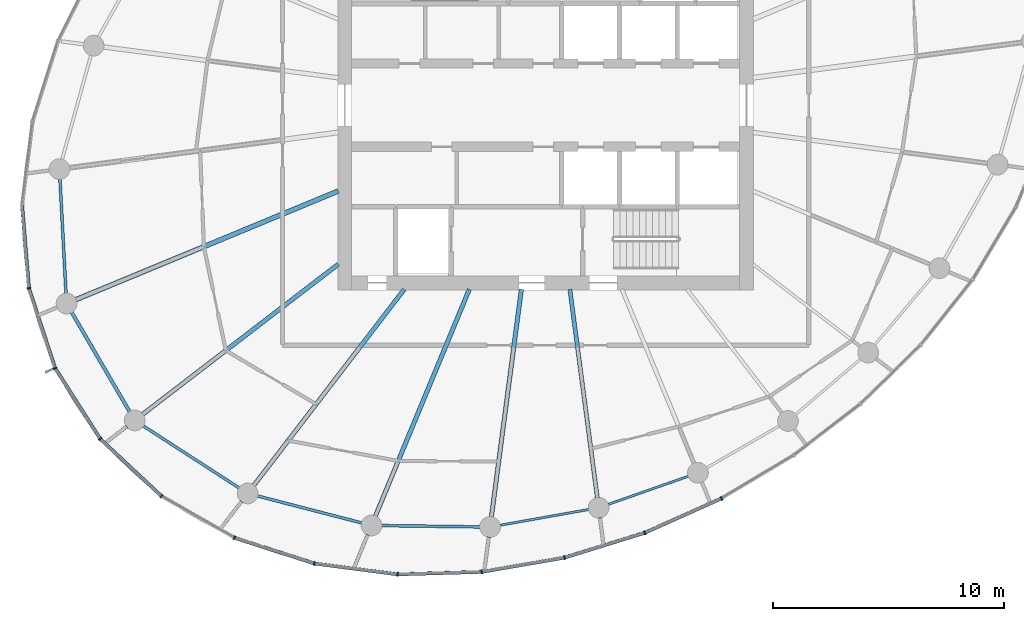
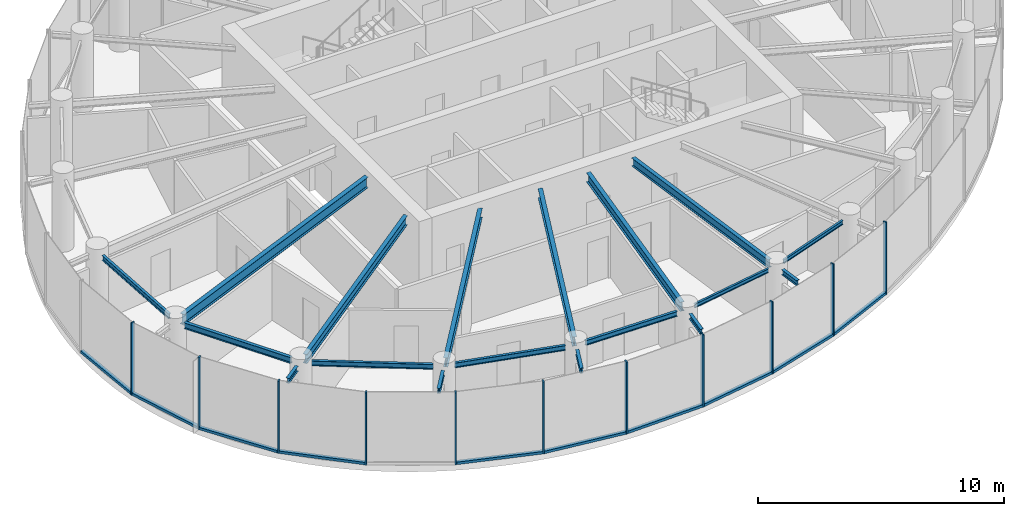
# One storey, part 2 of 15: 21 members, 18 beams, 3 elements without a shape of their own.
"""IFC4 building model written with IfcOpenShell, lengths in metres."""

from ifc_helpers import new_model, si_unit, direction, frame, origin, origin_2d, place, context, subcontext, project, spatial, rectangle, i_section, extrude, source, transform, mapped, material, layer, layer_set, material_profile, profile_set, type_object, element, aggregate, save


model = new_model("IFC4")

# Units and contexts
model_context = context("Model", 3, precision=1e-05, world=origin(), true_north=direction((0.0, 1.0)))
body_context = subcontext(model_context, "Body", "Model", "MODEL_VIEW")
ifc_project = project(units=[si_unit("LENGTHUNIT", "METRE"), si_unit("AREAUNIT", "SQUARE_METRE"), si_unit("VOLUMEUNIT", "CUBIC_METRE"), si_unit("PLANEANGLEUNIT", "RADIAN"), si_unit("MASSUNIT", "GRAM", prefix="KILO")], contexts=[model_context])

# Site, building, storey
site_placement = place(None, origin())
site = spatial("IfcSite", under=ifc_project, at=site_placement, CompositionType="ELEMENT")
building_placement = place(site_placement, origin())
building = spatial("IfcBuilding", under=site, at=building_placement, Name="Spindrift Exchange Tower", CompositionType="ELEMENT")
storey_placement = place(building_placement, frame((0.0, 0.0, 195.5)))
storey = spatial("IfcBuildingStorey", under=building, at=storey_placement, Name="L47", CompositionType="ELEMENT", Elevation=195.5)

# Beams
ifc_material_1 = material(Name="Steel Grade 300", Category="steel")
ifc_material_profile_1 = material_profile(ifc_material_1, i_section(OverallWidth=0.14599609375, OverallDepth=0.251953125, WebThickness=0.006103515625, FlangeThickness=0.008544921875, FilletRadius=0.011962890625, at=origin_2d()), Name="250UB31.4")
ifc_profile_set_1 = profile_set([ifc_material_profile_1], Name="Steel Grade 300")
beam_type_1 = type_object("IfcBeamType", Name="Cantilever Beam 250UB31.4 Steel Grade 300", PredefinedType="BEAM", material=ifc_profile_set_1)
shared_shape_1 = source(origin(), body_context, "Body", "SweptSolid", [
    extrude(i_section(OverallWidth=0.14599609375, OverallDepth=0.251953125, WebThickness=0.006103515625, FlangeThickness=0.008544921875, FilletRadius=0.011962890625, at=origin_2d()), origin(), (0.0, 0.0, 1.0), 1.224853515625),
])
beam_1_placement = place(storey_placement, frame((49.53759765625, 29.29541015625, 3.4541015625), z_axis=(-0.130557634208, -0.99144072145, 0.0), x_axis=(0.99144072145, -0.130557634208, 0.0)))
element("IfcBeam", 1, at=beam_1_placement, inside=storey, type_object=beam_type_1, Name="L47 cantilever beam R18T", PredefinedType="BEAM", context=body_context, shape_type="MappedRepresentation", body=[
    mapped(shared_shape_1, transform((0.0, 0.0, 0.0), scale=1.0)),
])
ifc_material_profile_2 = material_profile(ifc_material_1, i_section(OverallWidth=0.208984375, OverallDepth=0.528076171875, WebThickness=0.009521484375, FlangeThickness=0.01318359375, FilletRadius=0.013916015625, at=origin_2d()), Name="530UB82.0")
ifc_profile_set_2 = profile_set([ifc_material_profile_2], Name="Steel Grade 300")
beam_type_2 = type_object("IfcBeamType", Name="Floor Beam 530UB82.0 Steel Grade 300", PredefinedType="BEAM", material=ifc_profile_set_2)
shared_shape_2 = source(origin(), body_context, "Body", "SweptSolid", [
    extrude(i_section(OverallWidth=0.208984375, OverallDepth=0.528076171875, WebThickness=0.009521484375, FlangeThickness=0.01318359375, FilletRadius=0.013916015625, at=origin_2d()), origin(), (0.0, 0.0, 1.0), 12.3115234375),
])
beam_2_placement = place(storey_placement, frame((43.0185546875, 44.27978515625, 3.31591796875), z_axis=(-0.923878099838, -0.382686891126, 0.0), x_axis=(0.382686891126, -0.923878099838, 0.0)))
element("IfcBeam", 2, at=beam_2_placement, inside=storey, type_object=beam_type_2, Name="L47 radial beam R14A", PredefinedType="BEAM", context=body_context, shape_type="MappedRepresentation", body=[
    mapped(shared_shape_2, transform((0.0, 0.0, 0.0), scale=1.0)),
])
ifc_material_profile_3 = material_profile(ifc_material_1, i_section(OverallWidth=0.18994140625, OverallDepth=0.4541015625, WebThickness=0.008544921875, FlangeThickness=0.0126953125, FilletRadius=0.013916015625, at=origin_2d()), Name="460UB67.1")
ifc_profile_set_3 = profile_set([ifc_material_profile_3], Name="Steel Grade 300")
beam_type_3 = type_object("IfcBeamType", Name="Floor Beam 460UB67.1 Steel Grade 300", PredefinedType="BEAM", material=ifc_profile_set_3)
shared_shape_3 = source(origin(), body_context, "Body", "SweptSolid", [
    extrude(i_section(OverallWidth=0.18994140625, OverallDepth=0.4541015625, WebThickness=0.008544921875, FlangeThickness=0.0126953125, FilletRadius=0.013916015625, at=origin_2d()), origin(), (0.0, 0.0, 1.0), 10.684814453125),
])
beam_3_placement = place(storey_placement, frame((43.015869140625, 41.106201171875, 3.35302734375), z_axis=(-0.793357316898, -0.608756246559, 0.0), x_axis=(0.608756246559, -0.793357316898, 0.0)))
element("IfcBeam", 3, at=beam_3_placement, inside=storey, type_object=beam_type_3, Name="L47 radial beam R15A", PredefinedType="BEAM", context=body_context, shape_type="MappedRepresentation", body=[
    mapped(shared_shape_3, transform((0.0, 0.0, 0.0), scale=1.0)),
])
shared_shape_4 = source(origin(), body_context, "Body", "SweptSolid", [
    extrude(i_section(OverallWidth=0.18994140625, OverallDepth=0.4541015625, WebThickness=0.008544921875, FlangeThickness=0.0126953125, FilletRadius=0.013916015625, at=origin_2d()), origin(), (0.0, 0.0, 1.0), 10.711181640625),
])
beam_4_placement = place(storey_placement, frame((45.87353515625, 40.015869140625, 3.35302734375), z_axis=(-0.608756401092, -0.793357198322, 0.0), x_axis=(0.793357198322, -0.608756401092, 0.0)))
element("IfcBeam", 4, at=beam_4_placement, inside=storey, type_object=beam_type_3, Name="L47 radial beam R16A", PredefinedType="BEAM", context=body_context, shape_type="MappedRepresentation", body=[
    mapped(shared_shape_4, transform((0.0, 0.0, 0.0), scale=1.0)),
])
shared_shape_5 = source(origin(), body_context, "Body", "SweptSolid", [
    extrude(i_section(OverallWidth=0.18994140625, OverallDepth=0.4541015625, WebThickness=0.008544921875, FlangeThickness=0.0126953125, FilletRadius=0.013916015625, at=origin_2d()), origin(), (0.0, 0.0, 1.0), 10.64111328125),
])
beam_5_placement = place(storey_placement, frame((48.69384765625, 40.0185546875, 3.35302734375), z_axis=(-0.382672627597, -0.923884007919, 0.0), x_axis=(0.923884007919, -0.382672627597, 0.0)))
element("IfcBeam", 5, at=beam_5_placement, inside=storey, type_object=beam_type_3, Name="L47 radial beam R17A", PredefinedType="BEAM", context=body_context, shape_type="MappedRepresentation", body=[
    mapped(shared_shape_5, transform((0.0, 0.0, 0.0), scale=1.0)),
])
shared_shape_6 = source(origin(), body_context, "Body", "SweptSolid", [
    extrude(i_section(OverallWidth=0.18994140625, OverallDepth=0.4541015625, WebThickness=0.008544921875, FlangeThickness=0.0126953125, FilletRadius=0.013916015625, at=origin_2d()), origin(), (0.0, 0.0, 1.0), 9.95703125),
])
beam_6_placement = place(storey_placement, frame((50.949462890625, 40.019775390625, 3.35302734375), z_axis=(-0.130541406635, -0.991442858239, 0.0), x_axis=(0.991442858239, -0.130541406635, 0.0)))
element("IfcBeam", 6, at=beam_6_placement, inside=storey, type_object=beam_type_3, Name="L47 radial beam R18A", PredefinedType="BEAM", context=body_context, shape_type="MappedRepresentation", body=[
    mapped(shared_shape_6, transform((0.0, 0.0, 0.0), scale=1.0)),
])
ifc_material_profile_4 = material_profile(ifc_material_1, i_section(OverallWidth=0.177978515625, OverallDepth=0.403076171875, WebThickness=0.007568359375, FlangeThickness=0.010986328125, FilletRadius=0.013916015625, at=origin_2d()), Name="410UB53.7")
ifc_profile_set_4 = profile_set([ifc_material_profile_4], Name="Steel Grade 300")
beam_type_4 = type_object("IfcBeamType", Name="Floor Beam 410UB53.7 Steel Grade 300", PredefinedType="BEAM", material=ifc_profile_set_4)
shared_shape_7 = source(origin(), body_context, "Body", "SweptSolid", [
    extrude(i_section(OverallWidth=0.177978515625, OverallDepth=0.403076171875, WebThickness=0.007568359375, FlangeThickness=0.010986328125, FilletRadius=0.013916015625, at=origin_2d()), origin(), (0.0, 0.0, 1.0), 9.11376953125),
])
beam_7_placement = place(storey_placement, frame((53.050537109375, 40.019775390625, 3.37841796875), z_axis=(0.130536972606, -0.991443442049, 0.0), x_axis=(0.991443442049, 0.130536972606, 0.0)))
element("IfcBeam", 7, at=beam_7_placement, inside=storey, type_object=beam_type_4, Name="L47 radial beam R19A", PredefinedType="BEAM", context=body_context, shape_type="MappedRepresentation", body=[
    mapped(shared_shape_7, transform((0.0, 0.0, 0.0), scale=1.0)),
])
ifc_material_profile_5 = material_profile(ifc_material_1, i_section(OverallWidth=0.1240234375, OverallDepth=0.248046875, WebThickness=0.0048828125, FlangeThickness=0.008056640625, FilletRadius=0.011962890625, at=origin_2d()), Name="250UB25.7")
ifc_profile_set_5 = profile_set([ifc_material_profile_5], Name="Steel Grade 300")
beam_type_5 = type_object("IfcBeamType", Name="Edge Beam 250UB25.7 Steel Grade 300", PredefinedType="SPANDREL", material=ifc_profile_set_5)
shared_shape_8 = source(origin(), body_context, "Body", "SweptSolid", [
    extrude(i_section(OverallWidth=0.1240234375, OverallDepth=0.248046875, WebThickness=0.0048828125, FlangeThickness=0.008056640625, FilletRadius=0.011962890625, at=origin_2d()), origin(), (0.0, 0.0, 1.0), 4.971435546875),
])
beam_8_placement = place(storey_placement, frame((30.96044921875, 44.797607421875, 3.4560546875), z_axis=(0.053038255124, -0.998592481192, 0.0), x_axis=(0.998592481192, 0.053038255124, 0.0)))
element("IfcBeam", 8, at=beam_8_placement, inside=storey, type_object=beam_type_5, Name="L47 edge beam E13", PredefinedType="SPANDREL", context=body_context, shape_type="MappedRepresentation", body=[
    mapped(shared_shape_8, transform((0.0, 0.0, 0.0), scale=1.0)),
])
ifc_material_profile_6 = material_profile(ifc_material_1, i_section(OverallWidth=0.14892578125, OverallDepth=0.298095703125, WebThickness=0.005615234375, FlangeThickness=0.008056640625, FilletRadius=0.012939453125, at=origin_2d()), Name="310UB32.0")
ifc_profile_set_6 = profile_set([ifc_material_profile_6], Name="Steel Grade 300")
beam_type_6 = type_object("IfcBeamType", Name="Edge Beam 310UB32.0 Steel Grade 300", PredefinedType="SPANDREL", material=ifc_profile_set_6)
shared_shape_9 = source(origin(), body_context, "Body", "SweptSolid", [
    extrude(i_section(OverallWidth=0.14892578125, OverallDepth=0.298095703125, WebThickness=0.005615234375, FlangeThickness=0.008056640625, FilletRadius=0.012939453125, at=origin_2d()), origin(), (0.0, 0.0, 1.0), 5.0009765625),
])
beam_9_placement = place(storey_placement, frame((31.46337890625, 39.0322265625, 3.430908203125), z_axis=(0.503512812094, -0.863987759205, 0.0), x_axis=(0.863987759205, 0.503512812094, 0.0)))
element("IfcBeam", 9, at=beam_9_placement, inside=storey, type_object=beam_type_6, Name="L47 edge beam E14", PredefinedType="SPANDREL", context=body_context, shape_type="MappedRepresentation", body=[
    mapped(shared_shape_9, transform((0.0, 0.0, 0.0), scale=1.0)),
])
shared_shape_10 = source(origin(), body_context, "Body", "SweptSolid", [
    extrude(i_section(OverallWidth=0.1240234375, OverallDepth=0.248046875, WebThickness=0.0048828125, FlangeThickness=0.008056640625, FilletRadius=0.011962890625, at=origin_2d()), origin(), (0.0, 0.0, 1.0), 4.966552734375),
])
beam_10_placement = place(storey_placement, frame((34.55908203125, 34.106689453125, 3.4560546875), z_axis=(0.839802198579, -0.54289250065, 0.0), x_axis=(0.54289250065, 0.839802198579, 0.0)))
element("IfcBeam", 10, at=beam_10_placement, inside=storey, type_object=beam_type_5, Name="L47 edge beam E15", PredefinedType="SPANDREL", context=body_context, shape_type="MappedRepresentation", body=[
    mapped(shared_shape_10, transform((0.0, 0.0, 0.0), scale=1.0)),
])
shared_shape_11 = source(origin(), body_context, "Body", "SweptSolid", [
    extrude(i_section(OverallWidth=0.1240234375, OverallDepth=0.248046875, WebThickness=0.0048828125, FlangeThickness=0.008056640625, FilletRadius=0.011962890625, at=origin_2d()), origin(), (0.0, 0.0, 1.0), 4.682373046875),
])
beam_11_placement = place(storey_placement, frame((39.507568359375, 31.0693359375, 3.4560546875), z_axis=(0.968201586176, -0.250171318352, 0.0), x_axis=(0.250171318352, 0.968201586176, 0.0)))
element("IfcBeam", 11, at=beam_11_placement, inside=storey, type_object=beam_type_5, Name="L47 edge beam E16", PredefinedType="SPANDREL", context=body_context, shape_type="MappedRepresentation", body=[
    mapped(shared_shape_11, transform((0.0, 0.0, 0.0), scale=1.0)),
])
shared_shape_12 = source(origin(), body_context, "Body", "SweptSolid", [
    extrude(i_section(OverallWidth=0.1240234375, OverallDepth=0.248046875, WebThickness=0.0048828125, FlangeThickness=0.008056640625, FilletRadius=0.011962890625, at=origin_2d()), origin(), (0.0, 0.0, 1.0), 4.27685546875),
])
beam_12_placement = place(storey_placement, frame((44.88720703125, 29.78466796875, 3.4560546875), z_axis=(0.999910013527, -0.013415097807, 0.0), x_axis=(0.013415097807, 0.999910013527, 0.0)))
element("IfcBeam", 12, at=beam_12_placement, inside=storey, type_object=beam_type_5, Name="L47 edge beam E17", PredefinedType="SPANDREL", context=body_context, shape_type="MappedRepresentation", body=[
    mapped(shared_shape_12, transform((0.0, 0.0, 0.0), scale=1.0)),
])
ifc_material_profile_7 = material_profile(ifc_material_1, i_section(OverallWidth=0.09912109375, OverallDepth=0.197998046875, WebThickness=0.00439453125, FlangeThickness=0.007080078125, FilletRadius=0.010986328125, at=origin_2d()), Name="200UB18.2")
ifc_profile_set_7 = profile_set([ifc_material_profile_7], Name="Steel Grade 300")
beam_type_7 = type_object("IfcBeamType", Name="Edge Beam 200UB18.2 Steel Grade 300", PredefinedType="SPANDREL", material=ifc_profile_set_7)
shared_shape_13 = source(origin(), body_context, "Body", "SweptSolid", [
    extrude(i_section(OverallWidth=0.09912109375, OverallDepth=0.197998046875, WebThickness=0.00439453125, FlangeThickness=0.007080078125, FilletRadius=0.010986328125, at=origin_2d()), origin(), (0.0, 0.0, 1.0), 3.916259765625),
])
beam_13_placement = place(storey_placement, frame((50.01708984375, 29.796875, 3.48095703125), z_axis=(0.984558687682, 0.175054821441, 0.0), x_axis=(-0.175054821441, 0.984558687682, 0.0)))
element("IfcBeam", 13, at=beam_13_placement, inside=storey, type_object=beam_type_7, Name="L47 edge beam E18", PredefinedType="SPANDREL", context=body_context, shape_type="MappedRepresentation", body=[
    mapped(shared_shape_13, transform((0.0, 0.0, 0.0), scale=1.0)),
])
shared_shape_14 = source(origin(), body_context, "Body", "SweptSolid", [
    extrude(i_section(OverallWidth=0.09912109375, OverallDepth=0.197998046875, WebThickness=0.00439453125, FlangeThickness=0.007080078125, FilletRadius=0.010986328125, at=origin_2d()), origin(), (0.0, 0.0, 1.0), 3.700439453125),
])
beam_14_placement = place(storey_placement, frame((54.701904296875, 30.699951171875, 3.48095703125), z_axis=(0.943515334916, 0.331328858957, 0.0), x_axis=(-0.331328858957, 0.943515334916, 0.0)))
element("IfcBeam", 14, at=beam_14_placement, inside=storey, type_object=beam_type_7, Name="L47 edge beam E19", PredefinedType="SPANDREL", context=body_context, shape_type="MappedRepresentation", body=[
    mapped(shared_shape_14, transform((0.0, 0.0, 0.0), scale=1.0)),
])
shared_shape_15 = source(origin(), body_context, "Body", "SweptSolid", [
    extrude(i_section(OverallWidth=0.14599609375, OverallDepth=0.251953125, WebThickness=0.006103515625, FlangeThickness=0.008544921875, FilletRadius=0.011962890625, at=origin_2d()), origin(), (0.0, 0.0, 1.0), 0.977294921875),
])
beam_15_placement = place(storey_placement, frame((33.856689453125, 34.078125, 3.4541015625), z_axis=(-0.793357021554, -0.608756631463, 0.0), x_axis=(0.608756631463, -0.793357021554, 0.0)))
element("IfcBeam", 15, at=beam_15_placement, inside=storey, type_object=beam_type_1, Name="L47 cantilever beam R15T", PredefinedType="BEAM", context=body_context, shape_type="MappedRepresentation", body=[
    mapped(shared_shape_15, transform((0.0, 0.0, 0.0), scale=1.0)),
])
shared_shape_16 = source(origin(), body_context, "Body", "SweptSolid", [
    extrude(i_section(OverallWidth=0.14599609375, OverallDepth=0.251953125, WebThickness=0.006103515625, FlangeThickness=0.008544921875, FilletRadius=0.011962890625, at=origin_2d()), origin(), (0.0, 0.0, 1.0), 1.3134765625),
])
beam_16_placement = place(storey_placement, frame((38.829345703125, 30.835693359375, 3.4541015625), z_axis=(-0.608767093418, -0.793348993805, 0.0), x_axis=(0.793348993805, -0.608767093418, 0.0)))
element("IfcBeam", 16, at=beam_16_placement, inside=storey, type_object=beam_type_1, Name="L47 cantilever beam R16T", PredefinedType="BEAM", context=body_context, shape_type="MappedRepresentation", body=[
    mapped(shared_shape_16, transform((0.0, 0.0, 0.0), scale=1.0)),
])
shared_shape_17 = source(origin(), body_context, "Body", "SweptSolid", [
    extrude(i_section(OverallWidth=0.14599609375, OverallDepth=0.251953125, WebThickness=0.006103515625, FlangeThickness=0.008544921875, FilletRadius=0.011962890625, at=origin_2d()), origin(), (0.0, 0.0, 1.0), 1.36767578125),
])
beam_17_placement = place(storey_placement, frame((44.292724609375, 29.39306640625, 3.4541015625), z_axis=(-0.382751211346, -0.923851454625, 0.0), x_axis=(0.923851454625, -0.382751211346, 0.0)))
element("IfcBeam", 17, at=beam_17_placement, inside=storey, type_object=beam_type_1, Name="L47 cantilever beam R17T", PredefinedType="BEAM", context=body_context, shape_type="MappedRepresentation", body=[
    mapped(shared_shape_17, transform((0.0, 0.0, 0.0), scale=1.0)),
])
shared_shape_18 = source(origin(), body_context, "Body", "SweptSolid", [
    extrude(i_section(OverallWidth=0.14599609375, OverallDepth=0.251953125, WebThickness=0.006103515625, FlangeThickness=0.008544921875, FilletRadius=0.011962890625, at=origin_2d()), origin(), (0.0, 0.0, 1.0), 1.007568359375),
])
beam_18_placement = place(storey_placement, frame((54.3525390625, 30.131103515625, 3.4541015625), z_axis=(0.130354229524, -0.991467485521, 0.0), x_axis=(0.991467485521, 0.130354229524, 0.0)))
element("IfcBeam", 18, at=beam_18_placement, inside=storey, type_object=beam_type_1, Name="L47 cantilever beam R19T", PredefinedType="BEAM", context=body_context, shape_type="MappedRepresentation", body=[
    mapped(shared_shape_18, transform((0.0, 0.0, 0.0), scale=1.0)),
])

# Curtain wall, members
ifc_material_2 = material(Name="Fritted laminated glass with bronze frame", Category="glass")
ifc_layer = layer(ifc_material_2, 0.169921875)
ifc_layer_set = layer_set([ifc_layer], Name="ZONE 4 BRONZE FRITTED WALL")
curtain_wall_type = type_object("IfcCurtainWallType", Name="ZONE 4 BRONZE FRITTED WALL", PredefinedType="NOTDEFINED", material=ifc_layer_set)
curtain_wall_1_placement = place(storey_placement, origin())
curtain_wall_1 = element("IfcCurtainWall", 19, at=curtain_wall_1_placement, inside=storey, type_object=curtain_wall_type, Name="L47 Zone 4 Bronze Fritted Wall run 5", PredefinedType="NOTDEFINED")
ifc_material_3 = material(Name="Bronze anodised aluminium", Category="aluminium")
ifc_material_profile_8 = material_profile(ifc_material_3, rectangle(XDim=0.14990234375, YDim=0.125, at=origin_2d()), Name="ZONE 4 BRONZE FRITTED WALL TRANSOM 150X125")
ifc_profile_set_8 = profile_set([ifc_material_profile_8], Name="Bronze anodised aluminium")
member_type_1 = type_object("IfcMemberType", Name="ZONE 4 BRONZE FRITTED WALL TRANSOM 150X125", PredefinedType="USERDEFINED", material=ifc_profile_set_8)
shared_shape_19 = source(origin(), body_context, "Body", "SweptSolid", [
    extrude(rectangle(XDim=0.14990234375, YDim=0.125, at=origin_2d()), origin(), (0.0, 0.0, 1.0), 3.57763671875),
])
member_1_placement = place(storey_placement, frame((52.849853515625, 28.405517578125, 0.0625), z_axis=(0.955413841865, 0.295270030266, 0.0), x_axis=(-0.295270030266, 0.955413841865, 0.0)))
member_1 = element("IfcMember", 20, at=member_1_placement, type_object=member_type_1, Name="L47 transom CW-4.26", ObjectType="TRANSOM", PredefinedType="USERDEFINED", context=body_context, shape_type="MappedRepresentation", body=[
    mapped(shared_shape_19, transform((0.0, 0.0, 0.0), scale=1.0)),
])
shared_shape_20 = source(origin(), body_context, "Body", "SweptSolid", [
    extrude(rectangle(XDim=0.14990234375, YDim=0.125, at=origin_2d()), origin(), (0.0, 0.0, 1.0), 3.577880859375),
])
member_2_placement = place(storey_placement, frame((56.32861328125, 29.48486328125, 0.0625), z_axis=(0.912617325205, 0.40881489422, 0.0), x_axis=(-0.40881489422, 0.912617325205, 0.0)))
member_2 = element("IfcMember", 21, at=member_2_placement, type_object=member_type_1, Name="L47 transom CW-4.27", ObjectType="TRANSOM", PredefinedType="USERDEFINED", context=body_context, shape_type="MappedRepresentation", body=[
    mapped(shared_shape_20, transform((0.0, 0.0, 0.0), scale=1.0)),
])
shared_shape_21 = source(origin(), body_context, "Body", "SweptSolid", [
    extrude(rectangle(XDim=0.14990234375, YDim=0.125, at=origin_2d()), origin(), (0.0, 0.0, 1.0), 3.5771484375),
])
member_3_placement = place(storey_placement, frame((49.261474609375, 27.783447265625, 0.0625), z_axis=(0.985501854405, 0.169664654436, 0.0), x_axis=(-0.169664654436, 0.985501854405, 0.0)))
member_3 = element("IfcMember", 22, at=member_3_placement, type_object=member_type_1, Name="L47 transom CW-4.25", ObjectType="TRANSOM", PredefinedType="USERDEFINED", context=body_context, shape_type="MappedRepresentation", body=[
    mapped(shared_shape_21, transform((0.0, 0.0, 0.0), scale=1.0)),
])

# Curtain wall, member
curtain_wall_2_placement = place(storey_placement, origin())
curtain_wall_2 = element("IfcCurtainWall", 23, at=curtain_wall_2_placement, inside=storey, type_object=curtain_wall_type, Name="L47 Zone 4 Bronze Fritted Wall run 3", PredefinedType="NOTDEFINED")
shared_shape_22 = source(origin(), body_context, "Body", "SweptSolid", [
    extrude(rectangle(XDim=0.14990234375, YDim=0.125, at=origin_2d()), origin(), (0.0, 0.0, 1.0), 3.57080078125),
])
member_4_placement = place(storey_placement, frame((29.62548828125, 40.03271484375, 0.0625), z_axis=(0.311300677628, -0.950311468998, 0.0), x_axis=(0.950311468998, 0.311300677628, 0.0)))
member_4 = element("IfcMember", 24, at=member_4_placement, type_object=member_type_1, Name="L47 transom CW-4.18", ObjectType="TRANSOM", PredefinedType="USERDEFINED", context=body_context, shape_type="MappedRepresentation", body=[
    mapped(shared_shape_22, transform((0.0, 0.0, 0.0), scale=1.0)),
])

# Curtain wall, members
curtain_wall_3_placement = place(storey_placement, origin())
curtain_wall_3 = element("IfcCurtainWall", 25, at=curtain_wall_3_placement, inside=storey, type_object=curtain_wall_type, Name="L47 Zone 4 Bronze Fritted Wall run 4", PredefinedType="NOTDEFINED")
member_5_placement = place(storey_placement, frame((32.724853515625, 33.52099609375, 0.0625), z_axis=(0.730070023792, -0.683372343866, 0.0), x_axis=(0.683372343866, 0.730070023792, 0.0)))
member_5 = element("IfcMember", 26, at=member_5_placement, type_object=member_type_1, Name="L47 transom CW-4.20", ObjectType="TRANSOM", PredefinedType="USERDEFINED", context=body_context, shape_type="MappedRepresentation", body=[
    mapped(shared_shape_22, transform((0.0, 0.0, 0.0), scale=1.0)),
])
shared_shape_23 = source(origin(), body_context, "Body", "SweptSolid", [
    extrude(rectangle(XDim=0.14990234375, YDim=0.125, at=origin_2d()), origin(), (0.0, 0.0, 1.0), 3.570068359375),
])
member_6_placement = place(storey_placement, frame((30.7646484375, 36.5810546875, 0.0625), z_axis=(0.537508105932, -0.843258581965, 0.0), x_axis=(0.843258581965, 0.537508105932, 0.0)))
member_6 = element("IfcMember", 27, at=member_6_placement, type_object=member_type_1, Name="L47 transom CW-4.19", ObjectType="TRANSOM", PredefinedType="USERDEFINED", context=body_context, shape_type="MappedRepresentation", body=[
    mapped(shared_shape_23, transform((0.0, 0.0, 0.0), scale=1.0)),
])

# Member
shared_shape_24 = source(origin(), body_context, "Body", "SweptSolid", [
    extrude(rectangle(XDim=0.14990234375, YDim=0.125, at=origin_2d()), origin(), (0.0, 0.0, 1.0), 3.572509765625),
])
member_7_placement = place(storey_placement, frame((29.317626953125, 43.65625, 0.0625), z_axis=(0.082621302046, -0.996581015497, 0.0), x_axis=(0.996581015497, 0.082621302046, 0.0)))
member_7 = element("IfcMember", 28, at=member_7_placement, type_object=member_type_1, Name="L47 transom CW-4.17", ObjectType="TRANSOM", PredefinedType="USERDEFINED", context=body_context, shape_type="MappedRepresentation", body=[
    mapped(shared_shape_24, transform((0.0, 0.0, 0.0), scale=1.0)),
])

ifc_material_profile_9 = material_profile(ifc_material_3, rectangle(XDim=0.06494140625, YDim=0.169921875, at=origin_2d()), Name="ZONE 4 BRONZE FRITTED WALL MULLION 65X170")
ifc_profile_set_9 = profile_set([ifc_material_profile_9], Name="Bronze anodised aluminium")
member_type_2 = type_object("IfcMemberType", Name="ZONE 4 BRONZE FRITTED WALL MULLION 65X170", PredefinedType="MULLION", material=ifc_profile_set_9)
shared_shape_25 = source(origin(), body_context, "Body", "SweptSolid", [
    extrude(rectangle(XDim=0.06494140625, YDim=0.169921875, at=origin_2d()), origin(), (0.0, 0.0, 1.0), 3.580078125),
])
member_8_placement = place(storey_placement, frame((29.615478515625, 40.0634765625, 0.0), z_axis=(0.0, 0.0, 1.0), x_axis=(0.19829481611, -0.980142421235, 0.0)))
member_8 = element("IfcMember", 29, at=member_8_placement, type_object=member_type_2, Name="L47 mullion CW-4.18", PredefinedType="MULLION", context=body_context, shape_type="MappedRepresentation", body=[
    mapped(shared_shape_25, transform((0.0, 0.0, 0.0), scale=1.0)),
])

aggregate(curtain_wall_2, [member_7, member_8, member_4])

member_9_placement = place(storey_placement, frame((30.747314453125, 36.6083984375, 0.0), z_axis=(0.0, 0.0, 1.0), x_axis=(0.427767345206, -0.903888875015, 0.0)))
member_9 = element("IfcMember", 30, at=member_9_placement, type_object=member_type_2, Name="L47 mullion CW-4.19", PredefinedType="MULLION", context=body_context, shape_type="MappedRepresentation", body=[
    mapped(shared_shape_25, transform((0.0, 0.0, 0.0), scale=1.0)),
])

member_10_placement = place(storey_placement, frame((32.701171875, 33.543212890625, 0.0), z_axis=(0.0, 0.0, 1.0), x_axis=(0.638807030888, -0.76936699779, 0.0)))
member_10 = element("IfcMember", 31, at=member_10_placement, type_object=member_type_2, Name="L47 mullion CW-4.20", PredefinedType="MULLION", context=body_context, shape_type="MappedRepresentation", body=[
    mapped(shared_shape_25, transform((0.0, 0.0, 0.0), scale=1.0)),
])

member_11_placement = place(storey_placement, frame((35.35546875, 31.05859375, 0.0), z_axis=(0.0, 0.0, 1.0), x_axis=(0.80480183001, -0.593543607844, 0.0)))
member_11 = element("IfcMember", 32, at=member_11_placement, type_object=member_type_2, Name="L47 mullion CW-4.21", PredefinedType="MULLION", context=body_context, shape_type="MappedRepresentation", body=[
    mapped(shared_shape_25, transform((0.0, 0.0, 0.0), scale=1.0)),
])

member_12_placement = place(storey_placement, frame((38.5146484375, 29.255859375, 0.0), z_axis=(0.0, 0.0, 1.0), x_axis=(0.915261357404, -0.402860580899, 0.0)))
member_12 = element("IfcMember", 33, at=member_12_placement, type_object=member_type_2, Name="L47 mullion CW-4.22", PredefinedType="MULLION", context=body_context, shape_type="MappedRepresentation", body=[
    mapped(shared_shape_25, transform((0.0, 0.0, 0.0), scale=1.0)),
])

member_13_placement = place(storey_placement, frame((41.9794921875, 28.14306640625, 0.0), z_axis=(0.0, 0.0, 1.0), x_axis=(0.975855173026, -0.218418591879, 0.0)))
member_13 = element("IfcMember", 34, at=member_13_placement, type_object=member_type_2, Name="L47 mullion CW-4.23", PredefinedType="MULLION", context=body_context, shape_type="MappedRepresentation", body=[
    mapped(shared_shape_25, transform((0.0, 0.0, 0.0), scale=1.0)),
])

member_14_placement = place(storey_placement, frame((45.589599609375, 27.67236328125, 0.0), z_axis=(0.0, 0.0, 1.0), x_axis=(0.998734581489, -0.050291507615, 0.0)))
member_14 = element("IfcMember", 35, at=member_14_placement, type_object=member_type_2, Name="L47 mullion CW-4.24", PredefinedType="MULLION", context=body_context, shape_type="MappedRepresentation", body=[
    mapped(shared_shape_25, transform((0.0, 0.0, 0.0), scale=1.0)),
])

member_15_placement = place(storey_placement, frame((49.2294921875, 27.778076171875, 0.0), z_axis=(0.0, 0.0, 1.0), x_axis=(0.995030160158, 0.099573994474, 0.0)))
member_15 = element("IfcMember", 36, at=member_15_placement, type_object=member_type_2, Name="L47 mullion CW-4.25", PredefinedType="MULLION", context=body_context, shape_type="MappedRepresentation", body=[
    mapped(shared_shape_25, transform((0.0, 0.0, 0.0), scale=1.0)),
])

member_16_placement = place(storey_placement, frame((52.81884765625, 28.39599609375, 0.0), z_axis=(0.0, 0.0, 1.0), x_axis=(0.972484114674, 0.232969196906, 0.0)))
member_16 = element("IfcMember", 37, at=member_16_placement, type_object=member_type_2, Name="L47 mullion CW-4.26", PredefinedType="MULLION", context=body_context, shape_type="MappedRepresentation", body=[
    mapped(shared_shape_25, transform((0.0, 0.0, 0.0), scale=1.0)),
])

member_17_placement = place(storey_placement, frame((56.299072265625, 29.4716796875, 0.0), z_axis=(0.0, 0.0, 1.0), x_axis=(0.935724530533, 0.352731630222, 0.0)))
member_17 = element("IfcMember", 38, at=member_17_placement, type_object=member_type_2, Name="L47 mullion CW-4.27", PredefinedType="MULLION", context=body_context, shape_type="MappedRepresentation", body=[
    mapped(shared_shape_25, transform((0.0, 0.0, 0.0), scale=1.0)),
])

member_18_placement = place(storey_placement, frame((59.623291015625, 30.9609375, 0.0), z_axis=(0.0, 0.0, 1.0), x_axis=(0.887084585848, 0.461606908041, 0.0)))
member_18 = element("IfcMember", 39, at=member_18_placement, type_object=member_type_2, Name="L47 mullion CW-4.28", PredefinedType="MULLION", context=body_context, shape_type="MappedRepresentation", body=[
    mapped(shared_shape_25, transform((0.0, 0.0, 0.0), scale=1.0)),
])

aggregate(curtain_wall_1, [member_15, member_3, member_16, member_1, member_17, member_2, member_18])

shared_shape_26 = source(origin(), body_context, "Body", "SweptSolid", [
    extrude(rectangle(XDim=0.14990234375, YDim=0.125, at=origin_2d()), origin(), (0.0, 0.0, 1.0), 3.57568359375),
])
member_19_placement = place(storey_placement, frame((42.01171875, 28.138916015625, 0.0625), z_axis=(0.991603076107, -0.12931875137, 0.0), x_axis=(0.12931875137, 0.991603076107, 0.0)))
member_19 = element("IfcMember", 40, at=member_19_placement, type_object=member_type_1, Name="L47 transom CW-4.23", ObjectType="TRANSOM", PredefinedType="USERDEFINED", context=body_context, shape_type="MappedRepresentation", body=[
    mapped(shared_shape_26, transform((0.0, 0.0, 0.0), scale=1.0)),
])

shared_shape_27 = source(origin(), body_context, "Body", "SweptSolid", [
    extrude(rectangle(XDim=0.14990234375, YDim=0.125, at=origin_2d()), origin(), (0.0, 0.0, 1.0), 3.57421875),
])
member_20_placement = place(storey_placement, frame((38.545654296875, 29.245849609375, 0.0625), z_axis=(0.95209605294, -0.305799126839, 0.0), x_axis=(0.305799126839, 0.95209605294, 0.0)))
member_20 = element("IfcMember", 41, at=member_20_placement, type_object=member_type_1, Name="L47 transom CW-4.22", ObjectType="TRANSOM", PredefinedType="USERDEFINED", context=body_context, shape_type="MappedRepresentation", body=[
    mapped(shared_shape_27, transform((0.0, 0.0, 0.0), scale=1.0)),
])

shared_shape_28 = source(origin(), body_context, "Body", "SweptSolid", [
    extrude(rectangle(XDim=0.14990234375, YDim=0.125, at=origin_2d()), origin(), (0.0, 0.0, 1.0), 3.576416015625),
])
member_21_placement = place(storey_placement, frame((45.6220703125, 27.67333984375, 0.0625), z_axis=(0.999579066531, 0.029011889864, 0.0), x_axis=(-0.029011889864, 0.999579066531, 0.0)))
member_21 = element("IfcMember", 42, at=member_21_placement, type_object=member_type_1, Name="L47 transom CW-4.24", ObjectType="TRANSOM", PredefinedType="USERDEFINED", context=body_context, shape_type="MappedRepresentation", body=[
    mapped(shared_shape_28, transform((0.0, 0.0, 0.0), scale=1.0)),
])

aggregate(curtain_wall_3, [member_9, member_6, member_10, member_5, member_11, member_12, member_20, member_13, member_19, member_14, member_21])

save(model, "model.ifc")
